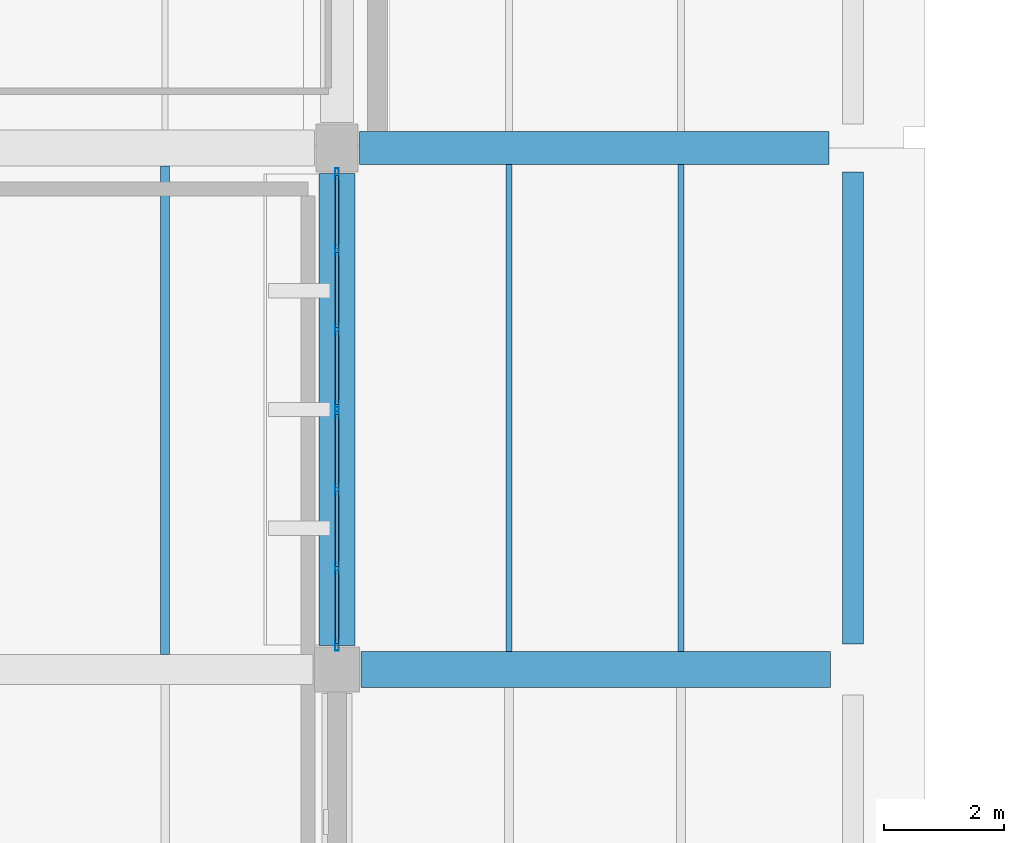
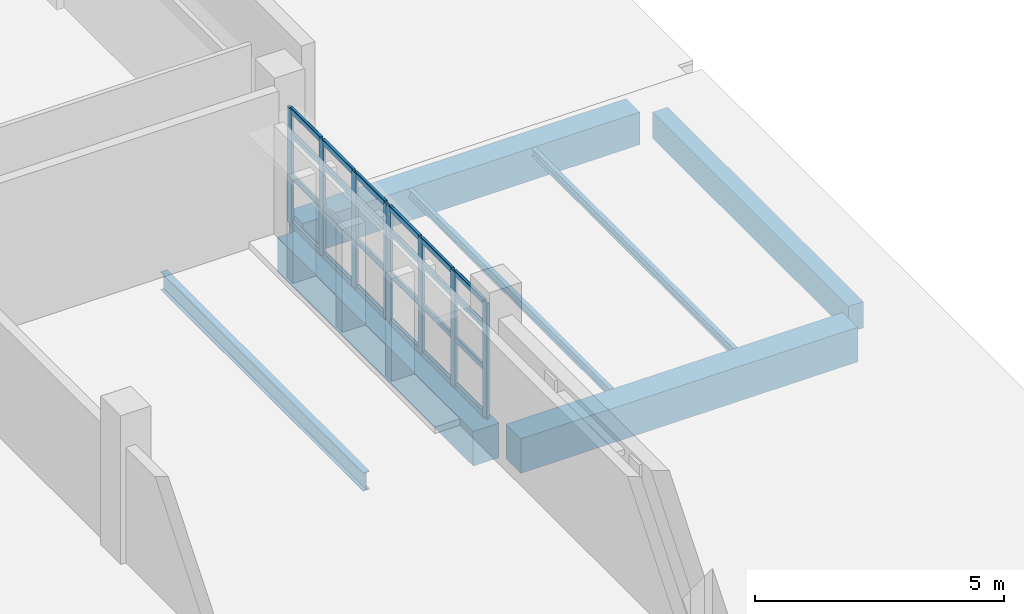
# One storey, part 45 of 80: 32 members, 7 beams, 2 elements without a shape of their own.
"""IFC4 building model written with IfcOpenShell, lengths in metres."""

from ifc_helpers import new_model, si_unit, direction, frame, origin, origin_2d, place, context, subcontext, project, spatial, rectangle, hollow_rectangle, i_section, extrude, material, material_profile, profile_set, type_object, element, aggregate, save


model = new_model("IFC4")

# Units and contexts
model_context = context("Model", 3, precision=1e-05, world=origin(), true_north=direction((0.0, 1.0)))
body_context = subcontext(model_context, "Body", "Model", "MODEL_VIEW")
ifc_project = project(units=[si_unit("LENGTHUNIT", "METRE"), si_unit("AREAUNIT", "SQUARE_METRE"), si_unit("VOLUMEUNIT", "CUBIC_METRE"), si_unit("PLANEANGLEUNIT", "RADIAN"), si_unit("MASSUNIT", "GRAM", prefix="KILO")], contexts=[model_context])

# Site, building, storey
site_placement = place(None, origin())
site = spatial("IfcSite", under=ifc_project, at=site_placement, CompositionType="ELEMENT")
building_placement = place(site_placement, origin())
building = spatial("IfcBuilding", under=site, at=building_placement, Name="Varnakota Cinema and Media Centre", CompositionType="ELEMENT")
storey_placement = place(building_placement, frame((0.0, 0.0, 4.5)))
storey = spatial("IfcBuildingStorey", under=building, at=storey_placement, Name="L01", CompositionType="ELEMENT", Elevation=4.5)

# Beams
ifc_material_1 = material(Name="Concrete M35", Category="concrete")
ifc_material_profile_1 = material_profile(ifc_material_1, rectangle(XDim=0.550048828125, YDim=0.800048828125, at=origin_2d()), Name="RCB 550x800")
ifc_profile_set_1 = profile_set([ifc_material_profile_1], Name="Concrete M35")
beam_type_1 = type_object("IfcBeamType", Name="BM-RC-550x800", PredefinedType="BEAM", material=ifc_profile_set_1)
beam_1_placement = place(storey_placement, frame((34.77490234375, 78.199951171875, -0.64990234375), z_axis=(1.0, 0.0, 0.0), x_axis=(0.0, 1.0, 0.0)))
element("IfcBeam", 1, at=beam_1_placement, inside=storey, type_object=beam_type_1, Name="L01 girder E-F/10", PredefinedType="BEAM", context=body_context, shape_type="SweptSolid", body=[
    extrude(rectangle(XDim=0.550048828125, YDim=0.800048828125, at=origin_2d()), origin(), (0.0, 0.0, 1.0), 7.8251953125),
])
ifc_material_2 = material(Name="Concrete M35", Category="concrete")
ifc_material_profile_2 = material_profile(ifc_material_2, rectangle(XDim=0.60009765625, YDim=0.85009765625, at=origin_2d()), Name="RCB 600x850")
ifc_profile_set_2 = profile_set([ifc_material_profile_2], Name="Concrete M35")
beam_type_2 = type_object("IfcBeamType", Name="BM-RC-600x850", PredefinedType="BEAM", material=ifc_profile_set_2)
beam_2_placement = place(storey_placement, frame((34.800048828125, 69.5, -0.675048828125), z_axis=(1.0, 0.0, 0.0), x_axis=(0.0, 1.0, 0.0)))
element("IfcBeam", 2, at=beam_2_placement, inside=storey, type_object=beam_type_2, Name="L01 girder E-F/9", PredefinedType="BEAM", context=body_context, shape_type="SweptSolid", body=[
    extrude(rectangle(XDim=0.60009765625, YDim=0.85009765625, at=origin_2d()), origin(), (0.0, 0.0, 1.0), 7.824951171875),
])
beam_3_placement = place(storey_placement, frame((34.39990234375, 69.89990234375, -0.675048828125), z_axis=(0.0, 1.0, 0.0), x_axis=(-1.0, 0.0, 0.0)))
element("IfcBeam", 3, at=beam_3_placement, inside=storey, type_object=beam_type_2, Name="L01 girder E/9-10", PredefinedType="BEAM", context=body_context, shape_type="SweptSolid", body=[
    extrude(rectangle(XDim=0.60009765625, YDim=0.85009765625, at=origin_2d()), origin(), (0.0, 0.0, 1.0), 7.875),
])
ifc_material_3 = material(Name="Concrete M40", Category="concrete")
ifc_material_profile_3 = material_profile(ifc_material_3, rectangle(XDim=0.35009765625, YDim=0.64990234375, at=origin_2d()), Name="RCB 350x650")
ifc_profile_set_3 = profile_set([ifc_material_profile_3], Name="Concrete M40")
beam_type_3 = type_object("IfcBeamType", Name="BM-SP-350x650", PredefinedType="SPANDREL", material=ifc_profile_set_3)
beam_4_placement = place(storey_placement, frame((43.0, 69.925048828125, -0.574951171875), z_axis=(0.0, 1.0, 0.0), x_axis=(-1.0, 0.0, 0.0)))
element("IfcBeam", 4, at=beam_4_placement, inside=storey, type_object=beam_type_3, Name="L01 girder F/9-10", PredefinedType="SPANDREL", context=body_context, shape_type="SweptSolid", body=[
    extrude(rectangle(XDim=0.35009765625, YDim=0.64990234375, at=origin_2d()), origin(), (0.0, 0.0, 1.0), 7.875),
])
ifc_material_4 = material(Name="Structural steel Grade 350 (E350)", Category="steel")
ifc_material_profile_4 = material_profile(ifc_material_4, i_section(OverallWidth=0.10009765625, OverallDepth=0.199951171875, WebThickness=0.005615234375, FlangeThickness=0.0107421875, FilletRadius=0.010986328125, at=origin_2d()), Name="ISMB 200")
ifc_profile_set_4 = profile_set([ifc_material_profile_4], Name="Structural steel Grade 350 (E350)")
beam_type_4 = type_object("IfcBeamType", Name="BM-ST-ISMB200", PredefinedType="JOIST", material=ifc_profile_set_4)
for number, where, z_axis, x_axis, name in (
    (5, (37.2666015625, 69.800048828125, -0.35009765625), (0.0, 1.0, 0.0), (-1.0, 0.0, 0.0), "L01 steel joist E-F/9-10 #1"),
    (6, (40.13330078125, 69.800048828125, -0.35009765625), (0.0, 1.0, 0.0), (-1.0, 0.0, 0.0), "L01 steel joist E-F/9-10 #2"),
):
    element("IfcBeam", number, at=place(storey_placement, frame(where, z_axis=z_axis, x_axis=x_axis)), inside=storey, type_object=beam_type_4, Name=name, PredefinedType="JOIST", context=body_context, shape_type="SweptSolid", body=[
        extrude(i_section(OverallWidth=0.10009765625, OverallDepth=0.199951171875, WebThickness=0.005615234375, FlangeThickness=0.0107421875, FilletRadius=0.010986328125, at=origin_2d()), origin(), (0.0, 0.0, 1.0), 8.125),
    ])
ifc_material_5 = material(Name="Structural steel Grade 350 (E350)", Category="steel")
ifc_material_profile_5 = material_profile(ifc_material_5, i_section(OverallWidth=0.14990234375, OverallDepth=0.449951171875, WebThickness=0.009521484375, FlangeThickness=0.017333984375, FilletRadius=0.014892578125, at=origin_2d()), Name="ISMB 450")
ifc_profile_set_5 = profile_set([ifc_material_profile_5], Name="Structural steel Grade 350 (E350)")
beam_type_5 = type_object("IfcBeamType", Name="BM-ST-ISMB450", PredefinedType="BEAM", material=ifc_profile_set_5)
beam_5_placement = place(storey_placement, frame((31.533203125, 69.75, -0.47509765625), z_axis=(0.0, 1.0, 0.0), x_axis=(-1.0, 0.0, 0.0)))
element("IfcBeam", 7, at=beam_5_placement, inside=storey, type_object=beam_type_5, Name="L01 steel joist D-E/9-10 #2", PredefinedType="BEAM", context=body_context, shape_type="SweptSolid", body=[
    extrude(i_section(OverallWidth=0.14990234375, OverallDepth=0.449951171875, WebThickness=0.009521484375, FlangeThickness=0.017333984375, FilletRadius=0.014892578125, at=origin_2d()), origin(), (0.0, 0.0, 1.0), 8.14990234375),
])

# Curtain wall, members
ifc_material_6 = material(Name="Thermally broken anodised aluminium AW-6063", Category="aluminium")
curtain_wall_type = type_object("IfcCurtainWallType", Name="CW-STD-394x284", PredefinedType="USERDEFINED", material=ifc_material_6)
curtain_wall_1_placement = place(storey_placement, origin())
curtain_wall_1 = element("IfcCurtainWall", 8, at=curtain_wall_1_placement, inside=storey, type_object=curtain_wall_type, Name="L01 curtain wall CW-L01-V5-E-05-1", ObjectType="UNITISED CURTAIN WALL", PredefinedType="USERDEFINED")
ifc_material_7 = material(Name="Thermally broken anodised aluminium AW-6063", Category="aluminium")
ifc_material_profile_6 = material_profile(ifc_material_7, hollow_rectangle(XDim=0.06494140625, YDim=0.179931640625, WallThickness=0.00390625, InnerFilletRadius=0.00390625, OuterFilletRadius=0.008056640625, at=origin_2d()), Name="AL-MULLION 180x65x4")
ifc_profile_set_6 = profile_set([ifc_material_profile_6], Name="Thermally broken anodised aluminium AW-6063")
member_type_1 = type_object("IfcMemberType", Name="CWM-AL-180", PredefinedType="MULLION", material=ifc_profile_set_6)
member_1_placement = place(storey_placement, frame((34.39990234375, 69.907470703125, 0.0), z_axis=(0.0, 0.0, 1.0), x_axis=(-1.0, 0.0, 0.0)))
member_1 = element("IfcMember", 9, at=member_1_placement, type_object=member_type_1, Name="CW27 mullion 1", PredefinedType="MULLION", context=body_context, shape_type="SweptSolid", body=[
    extrude(hollow_rectangle(XDim=0.06494140625, YDim=0.179931640625, WallThickness=0.00390625, InnerFilletRadius=0.00390625, OuterFilletRadius=0.008056640625, at=origin_2d()), origin(), (0.0, 0.0, 1.0), 2.8349609375),
])
member_2_placement = place(storey_placement, frame((34.39990234375, 71.189208984375, 0.0), z_axis=(0.0, 0.0, 1.0), x_axis=(-1.0, 0.0, 0.0)))
member_2 = element("IfcMember", 10, at=member_2_placement, type_object=member_type_1, Name="CW27 mullion 2", PredefinedType="MULLION", context=body_context, shape_type="SweptSolid", body=[
    extrude(hollow_rectangle(XDim=0.06494140625, YDim=0.179931640625, WallThickness=0.00390625, InnerFilletRadius=0.00390625, OuterFilletRadius=0.008056640625, at=origin_2d()), origin(), (0.0, 0.0, 1.0), 2.8349609375),
])
member_3_placement = place(storey_placement, frame((34.39990234375, 72.50341796875, 0.0), z_axis=(0.0, 0.0, 1.0), x_axis=(-1.0, 0.0, 0.0)))
member_3 = element("IfcMember", 11, at=member_3_placement, type_object=member_type_1, Name="CW27 mullion 3", PredefinedType="MULLION", context=body_context, shape_type="SweptSolid", body=[
    extrude(hollow_rectangle(XDim=0.06494140625, YDim=0.179931640625, WallThickness=0.00390625, InnerFilletRadius=0.00390625, OuterFilletRadius=0.008056640625, at=origin_2d()), origin(), (0.0, 0.0, 1.0), 2.8349609375),
])
member_4_placement = place(storey_placement, frame((34.39990234375, 73.784912109375, 0.0), z_axis=(0.0, 0.0, 1.0), x_axis=(-1.0, 0.0, 0.0)))
member_4 = element("IfcMember", 12, at=member_4_placement, type_object=member_type_1, Name="CW27 mullion 4", PredefinedType="MULLION", context=body_context, shape_type="SweptSolid", body=[
    extrude(hollow_rectangle(XDim=0.06494140625, YDim=0.179931640625, WallThickness=0.00390625, InnerFilletRadius=0.00390625, OuterFilletRadius=0.008056640625, at=origin_2d()), origin(), (0.0, 0.0, 1.0), 2.8349609375),
])

curtain_wall_2_placement = place(storey_placement, origin())
curtain_wall_2 = element("IfcCurtainWall", 13, at=curtain_wall_2_placement, inside=storey, type_object=curtain_wall_type, Name="L01 curtain wall CW-L01-V5-E-05-2", ObjectType="UNITISED CURTAIN WALL", PredefinedType="USERDEFINED")
member_5_placement = place(storey_placement, frame((34.39990234375, 73.889892578125, 0.0), z_axis=(0.0, 0.0, 1.0), x_axis=(-1.0, 0.0, 0.0)))
member_5 = element("IfcMember", 14, at=member_5_placement, type_object=member_type_1, Name="CW27 mullion 1", PredefinedType="MULLION", context=body_context, shape_type="SweptSolid", body=[
    extrude(hollow_rectangle(XDim=0.06494140625, YDim=0.179931640625, WallThickness=0.00390625, InnerFilletRadius=0.00390625, OuterFilletRadius=0.008056640625, at=origin_2d()), origin(), (0.0, 0.0, 1.0), 2.8349609375),
])
member_6_placement = place(storey_placement, frame((34.39990234375, 75.171630859375, 0.0), z_axis=(0.0, 0.0, 1.0), x_axis=(-1.0, 0.0, 0.0)))
member_6 = element("IfcMember", 15, at=member_6_placement, type_object=member_type_1, Name="CW27 mullion 2", PredefinedType="MULLION", context=body_context, shape_type="SweptSolid", body=[
    extrude(hollow_rectangle(XDim=0.06494140625, YDim=0.179931640625, WallThickness=0.00390625, InnerFilletRadius=0.00390625, OuterFilletRadius=0.008056640625, at=origin_2d()), origin(), (0.0, 0.0, 1.0), 2.8349609375),
])
member_7_placement = place(storey_placement, frame((34.39990234375, 76.48583984375, 0.0), z_axis=(0.0, 0.0, 1.0), x_axis=(-1.0, 0.0, 0.0)))
member_7 = element("IfcMember", 16, at=member_7_placement, type_object=member_type_1, Name="CW27 mullion 3", PredefinedType="MULLION", context=body_context, shape_type="SweptSolid", body=[
    extrude(hollow_rectangle(XDim=0.06494140625, YDim=0.179931640625, WallThickness=0.00390625, InnerFilletRadius=0.00390625, OuterFilletRadius=0.008056640625, at=origin_2d()), origin(), (0.0, 0.0, 1.0), 2.8349609375),
])
member_8_placement = place(storey_placement, frame((34.39990234375, 77.767578125, 0.0), z_axis=(0.0, 0.0, 1.0), x_axis=(-1.0, 0.0, 0.0)))
member_8 = element("IfcMember", 17, at=member_8_placement, type_object=member_type_1, Name="CW27 mullion 4", PredefinedType="MULLION", context=body_context, shape_type="SweptSolid", body=[
    extrude(hollow_rectangle(XDim=0.06494140625, YDim=0.179931640625, WallThickness=0.00390625, InnerFilletRadius=0.00390625, OuterFilletRadius=0.008056640625, at=origin_2d()), origin(), (0.0, 0.0, 1.0), 2.8349609375),
])

# Member
ifc_material_8 = material(Name="Thermally broken anodised aluminium AW-6063", Category="aluminium")
ifc_material_profile_7 = material_profile(ifc_material_8, hollow_rectangle(XDim=0.06494140625, YDim=0.139892578125, WallThickness=0.00390625, InnerFilletRadius=0.00390625, OuterFilletRadius=0.008056640625, at=origin_2d()), Name="AL-TRANSOM 140x65x4")
ifc_profile_set_7 = profile_set([ifc_material_profile_7], Name="Thermally broken anodised aluminium AW-6063")
member_type_2 = type_object("IfcMemberType", Name="CWT-AL-140", PredefinedType="USERDEFINED", material=ifc_profile_set_7)
member_9_placement = place(storey_placement, frame((34.39990234375, 69.93994140625, 0.032470703125), z_axis=(0.0, 1.0, 0.0), x_axis=(-1.0, 0.0, 0.0)))
member_9 = element("IfcMember", 18, at=member_9_placement, type_object=member_type_2, Name="CW27 transom 1.1", ObjectType="TRANSOM", PredefinedType="USERDEFINED", context=body_context, shape_type="SweptSolid", body=[
    extrude(hollow_rectangle(XDim=0.06494140625, YDim=0.139892578125, WallThickness=0.00390625, InnerFilletRadius=0.00390625, OuterFilletRadius=0.008056640625, at=origin_2d()), origin(), (0.0, 0.0, 1.0), 1.216796875),
])

member_10_placement = place(storey_placement, frame((34.39990234375, 69.93994140625, 1.190673828125), z_axis=(0.0, 1.0, 0.0), x_axis=(-1.0, 0.0, 0.0)))
member_10 = element("IfcMember", 19, at=member_10_placement, type_object=member_type_2, Name="CW27 transom 1.2", ObjectType="TRANSOM", PredefinedType="USERDEFINED", context=body_context, shape_type="SweptSolid", body=[
    extrude(hollow_rectangle(XDim=0.06494140625, YDim=0.139892578125, WallThickness=0.00390625, InnerFilletRadius=0.00390625, OuterFilletRadius=0.008056640625, at=origin_2d()), origin(), (0.0, 0.0, 1.0), 1.216796875),
])

member_11_placement = place(storey_placement, frame((34.39990234375, 69.93994140625, 2.211181640625), z_axis=(0.0, 1.0, 0.0), x_axis=(-1.0, 0.0, 0.0)))
member_11 = element("IfcMember", 20, at=member_11_placement, type_object=member_type_2, Name="CW27 transom 1.3", ObjectType="TRANSOM", PredefinedType="USERDEFINED", context=body_context, shape_type="SweptSolid", body=[
    extrude(hollow_rectangle(XDim=0.06494140625, YDim=0.139892578125, WallThickness=0.00390625, InnerFilletRadius=0.00390625, OuterFilletRadius=0.008056640625, at=origin_2d()), origin(), (0.0, 0.0, 1.0), 1.216796875),
])

member_12_placement = place(storey_placement, frame((34.39990234375, 69.93994140625, 2.802490234375), z_axis=(0.0, 1.0, 0.0), x_axis=(-1.0, 0.0, 0.0)))
member_12 = element("IfcMember", 21, at=member_12_placement, type_object=member_type_2, Name="CW27 transom 1.4", ObjectType="TRANSOM", PredefinedType="USERDEFINED", context=body_context, shape_type="SweptSolid", body=[
    extrude(hollow_rectangle(XDim=0.06494140625, YDim=0.139892578125, WallThickness=0.00390625, InnerFilletRadius=0.00390625, OuterFilletRadius=0.008056640625, at=origin_2d()), origin(), (0.0, 0.0, 1.0), 1.216796875),
])

member_13_placement = place(storey_placement, frame((34.39990234375, 71.2216796875, 0.032470703125), z_axis=(0.0, 1.0, 0.0), x_axis=(-1.0, 0.0, 0.0)))
member_13 = element("IfcMember", 22, at=member_13_placement, type_object=member_type_2, Name="CW27 transom 2.1", ObjectType="TRANSOM", PredefinedType="USERDEFINED", context=body_context, shape_type="SweptSolid", body=[
    extrude(hollow_rectangle(XDim=0.06494140625, YDim=0.139892578125, WallThickness=0.00390625, InnerFilletRadius=0.00390625, OuterFilletRadius=0.008056640625, at=origin_2d()), origin(), (0.0, 0.0, 1.0), 1.249267578125),
])

member_14_placement = place(storey_placement, frame((34.39990234375, 71.2216796875, 1.190673828125), z_axis=(0.0, 1.0, 0.0), x_axis=(-1.0, 0.0, 0.0)))
member_14 = element("IfcMember", 23, at=member_14_placement, type_object=member_type_2, Name="CW27 transom 2.2", ObjectType="TRANSOM", PredefinedType="USERDEFINED", context=body_context, shape_type="SweptSolid", body=[
    extrude(hollow_rectangle(XDim=0.06494140625, YDim=0.139892578125, WallThickness=0.00390625, InnerFilletRadius=0.00390625, OuterFilletRadius=0.008056640625, at=origin_2d()), origin(), (0.0, 0.0, 1.0), 1.249267578125),
])

member_15_placement = place(storey_placement, frame((34.39990234375, 71.2216796875, 2.211181640625), z_axis=(0.0, 1.0, 0.0), x_axis=(-1.0, 0.0, 0.0)))
member_15 = element("IfcMember", 24, at=member_15_placement, type_object=member_type_2, Name="CW27 transom 2.3", ObjectType="TRANSOM", PredefinedType="USERDEFINED", context=body_context, shape_type="SweptSolid", body=[
    extrude(hollow_rectangle(XDim=0.06494140625, YDim=0.139892578125, WallThickness=0.00390625, InnerFilletRadius=0.00390625, OuterFilletRadius=0.008056640625, at=origin_2d()), origin(), (0.0, 0.0, 1.0), 1.249267578125),
])

member_16_placement = place(storey_placement, frame((34.39990234375, 71.2216796875, 2.802490234375), z_axis=(0.0, 1.0, 0.0), x_axis=(-1.0, 0.0, 0.0)))
member_16 = element("IfcMember", 25, at=member_16_placement, type_object=member_type_2, Name="CW27 transom 2.4", ObjectType="TRANSOM", PredefinedType="USERDEFINED", context=body_context, shape_type="SweptSolid", body=[
    extrude(hollow_rectangle(XDim=0.06494140625, YDim=0.139892578125, WallThickness=0.00390625, InnerFilletRadius=0.00390625, OuterFilletRadius=0.008056640625, at=origin_2d()), origin(), (0.0, 0.0, 1.0), 1.249267578125),
])

member_17_placement = place(storey_placement, frame((34.39990234375, 72.535888671875, 0.032470703125), z_axis=(0.0, 1.0, 0.0), x_axis=(-1.0, 0.0, 0.0)))
member_17 = element("IfcMember", 26, at=member_17_placement, type_object=member_type_2, Name="CW27 transom 3.1", ObjectType="TRANSOM", PredefinedType="USERDEFINED", context=body_context, shape_type="SweptSolid", body=[
    extrude(hollow_rectangle(XDim=0.06494140625, YDim=0.139892578125, WallThickness=0.00390625, InnerFilletRadius=0.00390625, OuterFilletRadius=0.008056640625, at=origin_2d()), origin(), (0.0, 0.0, 1.0), 1.216552734375),
])

member_18_placement = place(storey_placement, frame((34.39990234375, 72.535888671875, 1.190673828125), z_axis=(0.0, 1.0, 0.0), x_axis=(-1.0, 0.0, 0.0)))
member_18 = element("IfcMember", 27, at=member_18_placement, type_object=member_type_2, Name="CW27 transom 3.2", ObjectType="TRANSOM", PredefinedType="USERDEFINED", context=body_context, shape_type="SweptSolid", body=[
    extrude(hollow_rectangle(XDim=0.06494140625, YDim=0.139892578125, WallThickness=0.00390625, InnerFilletRadius=0.00390625, OuterFilletRadius=0.008056640625, at=origin_2d()), origin(), (0.0, 0.0, 1.0), 1.216552734375),
])

member_19_placement = place(storey_placement, frame((34.39990234375, 72.535888671875, 2.211181640625), z_axis=(0.0, 1.0, 0.0), x_axis=(-1.0, 0.0, 0.0)))
member_19 = element("IfcMember", 28, at=member_19_placement, type_object=member_type_2, Name="CW27 transom 3.3", ObjectType="TRANSOM", PredefinedType="USERDEFINED", context=body_context, shape_type="SweptSolid", body=[
    extrude(hollow_rectangle(XDim=0.06494140625, YDim=0.139892578125, WallThickness=0.00390625, InnerFilletRadius=0.00390625, OuterFilletRadius=0.008056640625, at=origin_2d()), origin(), (0.0, 0.0, 1.0), 1.216552734375),
])

member_20_placement = place(storey_placement, frame((34.39990234375, 72.535888671875, 2.802490234375), z_axis=(0.0, 1.0, 0.0), x_axis=(-1.0, 0.0, 0.0)))
member_20 = element("IfcMember", 29, at=member_20_placement, type_object=member_type_2, Name="CW27 transom 3.4", ObjectType="TRANSOM", PredefinedType="USERDEFINED", context=body_context, shape_type="SweptSolid", body=[
    extrude(hollow_rectangle(XDim=0.06494140625, YDim=0.139892578125, WallThickness=0.00390625, InnerFilletRadius=0.00390625, OuterFilletRadius=0.008056640625, at=origin_2d()), origin(), (0.0, 0.0, 1.0), 1.216552734375),
])

aggregate(curtain_wall_1, [member_1, member_2, member_3, member_4, member_9, member_10, member_11, member_12, member_13, member_14, member_15, member_16, member_17, member_18, member_19, member_20])

member_21_placement = place(storey_placement, frame((34.39990234375, 73.922607421875, 0.032470703125), z_axis=(0.0, 1.0, 0.0), x_axis=(-1.0, 0.0, 0.0)))
member_21 = element("IfcMember", 30, at=member_21_placement, type_object=member_type_2, Name="CW27 transom 1.1", ObjectType="TRANSOM", PredefinedType="USERDEFINED", context=body_context, shape_type="SweptSolid", body=[
    extrude(hollow_rectangle(XDim=0.06494140625, YDim=0.139892578125, WallThickness=0.00390625, InnerFilletRadius=0.00390625, OuterFilletRadius=0.008056640625, at=origin_2d()), origin(), (0.0, 0.0, 1.0), 1.216552734375),
])

member_22_placement = place(storey_placement, frame((34.39990234375, 73.922607421875, 1.190673828125), z_axis=(0.0, 1.0, 0.0), x_axis=(-1.0, 0.0, 0.0)))
member_22 = element("IfcMember", 31, at=member_22_placement, type_object=member_type_2, Name="CW27 transom 1.2", ObjectType="TRANSOM", PredefinedType="USERDEFINED", context=body_context, shape_type="SweptSolid", body=[
    extrude(hollow_rectangle(XDim=0.06494140625, YDim=0.139892578125, WallThickness=0.00390625, InnerFilletRadius=0.00390625, OuterFilletRadius=0.008056640625, at=origin_2d()), origin(), (0.0, 0.0, 1.0), 1.216552734375),
])

member_23_placement = place(storey_placement, frame((34.39990234375, 73.922607421875, 2.211181640625), z_axis=(0.0, 1.0, 0.0), x_axis=(-1.0, 0.0, 0.0)))
member_23 = element("IfcMember", 32, at=member_23_placement, type_object=member_type_2, Name="CW27 transom 1.3", ObjectType="TRANSOM", PredefinedType="USERDEFINED", context=body_context, shape_type="SweptSolid", body=[
    extrude(hollow_rectangle(XDim=0.06494140625, YDim=0.139892578125, WallThickness=0.00390625, InnerFilletRadius=0.00390625, OuterFilletRadius=0.008056640625, at=origin_2d()), origin(), (0.0, 0.0, 1.0), 1.216552734375),
])

member_24_placement = place(storey_placement, frame((34.39990234375, 73.922607421875, 2.802490234375), z_axis=(0.0, 1.0, 0.0), x_axis=(-1.0, 0.0, 0.0)))
member_24 = element("IfcMember", 33, at=member_24_placement, type_object=member_type_2, Name="CW27 transom 1.4", ObjectType="TRANSOM", PredefinedType="USERDEFINED", context=body_context, shape_type="SweptSolid", body=[
    extrude(hollow_rectangle(XDim=0.06494140625, YDim=0.139892578125, WallThickness=0.00390625, InnerFilletRadius=0.00390625, OuterFilletRadius=0.008056640625, at=origin_2d()), origin(), (0.0, 0.0, 1.0), 1.216552734375),
])

member_25_placement = place(storey_placement, frame((34.39990234375, 75.2041015625, 0.032470703125), z_axis=(0.0, 1.0, 0.0), x_axis=(-1.0, 0.0, 0.0)))
member_25 = element("IfcMember", 34, at=member_25_placement, type_object=member_type_2, Name="CW27 transom 2.1", ObjectType="TRANSOM", PredefinedType="USERDEFINED", context=body_context, shape_type="SweptSolid", body=[
    extrude(hollow_rectangle(XDim=0.06494140625, YDim=0.139892578125, WallThickness=0.00390625, InnerFilletRadius=0.00390625, OuterFilletRadius=0.008056640625, at=origin_2d()), origin(), (0.0, 0.0, 1.0), 1.249267578125),
])

member_26_placement = place(storey_placement, frame((34.39990234375, 75.2041015625, 1.190673828125), z_axis=(0.0, 1.0, 0.0), x_axis=(-1.0, 0.0, 0.0)))
member_26 = element("IfcMember", 35, at=member_26_placement, type_object=member_type_2, Name="CW27 transom 2.2", ObjectType="TRANSOM", PredefinedType="USERDEFINED", context=body_context, shape_type="SweptSolid", body=[
    extrude(hollow_rectangle(XDim=0.06494140625, YDim=0.139892578125, WallThickness=0.00390625, InnerFilletRadius=0.00390625, OuterFilletRadius=0.008056640625, at=origin_2d()), origin(), (0.0, 0.0, 1.0), 1.249267578125),
])

member_27_placement = place(storey_placement, frame((34.39990234375, 75.2041015625, 2.211181640625), z_axis=(0.0, 1.0, 0.0), x_axis=(-1.0, 0.0, 0.0)))
member_27 = element("IfcMember", 36, at=member_27_placement, type_object=member_type_2, Name="CW27 transom 2.3", ObjectType="TRANSOM", PredefinedType="USERDEFINED", context=body_context, shape_type="SweptSolid", body=[
    extrude(hollow_rectangle(XDim=0.06494140625, YDim=0.139892578125, WallThickness=0.00390625, InnerFilletRadius=0.00390625, OuterFilletRadius=0.008056640625, at=origin_2d()), origin(), (0.0, 0.0, 1.0), 1.249267578125),
])

member_28_placement = place(storey_placement, frame((34.39990234375, 75.2041015625, 2.802490234375), z_axis=(0.0, 1.0, 0.0), x_axis=(-1.0, 0.0, 0.0)))
member_28 = element("IfcMember", 37, at=member_28_placement, type_object=member_type_2, Name="CW27 transom 2.4", ObjectType="TRANSOM", PredefinedType="USERDEFINED", context=body_context, shape_type="SweptSolid", body=[
    extrude(hollow_rectangle(XDim=0.06494140625, YDim=0.139892578125, WallThickness=0.00390625, InnerFilletRadius=0.00390625, OuterFilletRadius=0.008056640625, at=origin_2d()), origin(), (0.0, 0.0, 1.0), 1.249267578125),
])

member_29_placement = place(storey_placement, frame((34.39990234375, 76.518310546875, 0.032470703125), z_axis=(0.0, 1.0, 0.0), x_axis=(-1.0, 0.0, 0.0)))
member_29 = element("IfcMember", 38, at=member_29_placement, type_object=member_type_2, Name="CW27 transom 3.1", ObjectType="TRANSOM", PredefinedType="USERDEFINED", context=body_context, shape_type="SweptSolid", body=[
    extrude(hollow_rectangle(XDim=0.06494140625, YDim=0.139892578125, WallThickness=0.00390625, InnerFilletRadius=0.00390625, OuterFilletRadius=0.008056640625, at=origin_2d()), origin(), (0.0, 0.0, 1.0), 1.216796875),
])

member_30_placement = place(storey_placement, frame((34.39990234375, 76.518310546875, 1.190673828125), z_axis=(0.0, 1.0, 0.0), x_axis=(-1.0, 0.0, 0.0)))
member_30 = element("IfcMember", 39, at=member_30_placement, type_object=member_type_2, Name="CW27 transom 3.2", ObjectType="TRANSOM", PredefinedType="USERDEFINED", context=body_context, shape_type="SweptSolid", body=[
    extrude(hollow_rectangle(XDim=0.06494140625, YDim=0.139892578125, WallThickness=0.00390625, InnerFilletRadius=0.00390625, OuterFilletRadius=0.008056640625, at=origin_2d()), origin(), (0.0, 0.0, 1.0), 1.216796875),
])

member_31_placement = place(storey_placement, frame((34.39990234375, 76.518310546875, 2.211181640625), z_axis=(0.0, 1.0, 0.0), x_axis=(-1.0, 0.0, 0.0)))
member_31 = element("IfcMember", 40, at=member_31_placement, type_object=member_type_2, Name="CW27 transom 3.3", ObjectType="TRANSOM", PredefinedType="USERDEFINED", context=body_context, shape_type="SweptSolid", body=[
    extrude(hollow_rectangle(XDim=0.06494140625, YDim=0.139892578125, WallThickness=0.00390625, InnerFilletRadius=0.00390625, OuterFilletRadius=0.008056640625, at=origin_2d()), origin(), (0.0, 0.0, 1.0), 1.216796875),
])

member_32_placement = place(storey_placement, frame((34.39990234375, 76.518310546875, 2.802490234375), z_axis=(0.0, 1.0, 0.0), x_axis=(-1.0, 0.0, 0.0)))
member_32 = element("IfcMember", 41, at=member_32_placement, type_object=member_type_2, Name="CW27 transom 3.4", ObjectType="TRANSOM", PredefinedType="USERDEFINED", context=body_context, shape_type="SweptSolid", body=[
    extrude(hollow_rectangle(XDim=0.06494140625, YDim=0.139892578125, WallThickness=0.00390625, InnerFilletRadius=0.00390625, OuterFilletRadius=0.008056640625, at=origin_2d()), origin(), (0.0, 0.0, 1.0), 1.216796875),
])

aggregate(curtain_wall_2, [member_5, member_6, member_7, member_8, member_21, member_22, member_23, member_24, member_25, member_26, member_27, member_28, member_29, member_30, member_31, member_32])

save(model, "model.ifc")
